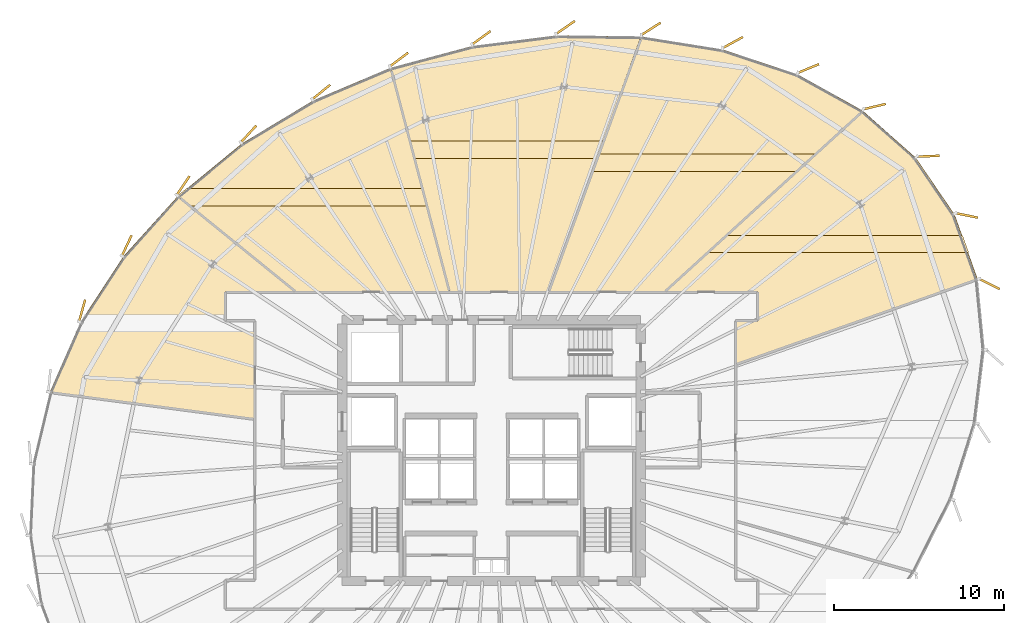
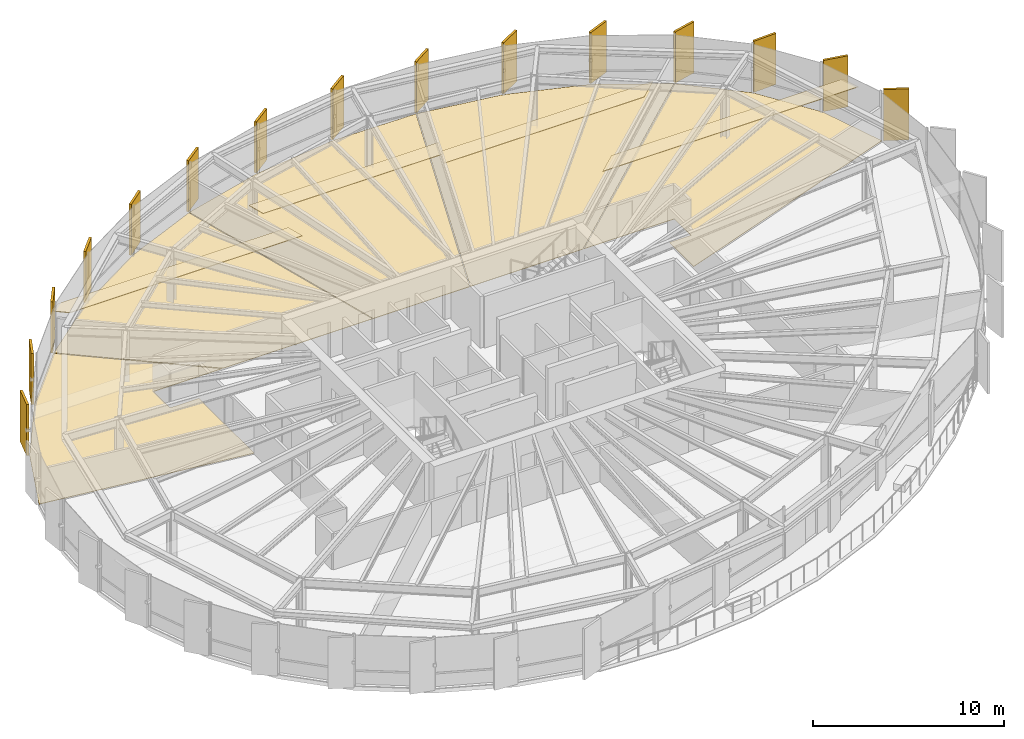
# One storey, part 36 of 36: 24 coverings.
"""IFC4 building model written with IfcOpenShell, lengths in metres."""

from ifc_helpers import new_model, si_unit, direction, frame, origin, origin_2d, place, context, subcontext, project, spatial, polyline, rectangle, outline, extrude, source, transform, mapped, material, layer, layer_set, type_object, element, save


model = new_model("IFC4")

# Units and contexts
model_context = context("Model", 3, precision=1e-05, world=origin(), true_north=direction((0.0, 1.0)))
body_context = subcontext(model_context, "Body", "Model", "MODEL_VIEW")
ifc_project = project(units=[si_unit("LENGTHUNIT", "METRE"), si_unit("AREAUNIT", "SQUARE_METRE"), si_unit("VOLUMEUNIT", "CUBIC_METRE"), si_unit("PLANEANGLEUNIT", "RADIAN"), si_unit("MASSUNIT", "GRAM", prefix="KILO"), si_unit("THERMODYNAMICTEMPERATUREUNIT", "KELVIN")], contexts=[model_context])

# Site, building, storey
site_placement = place(None, origin())
site = spatial("IfcSite", under=ifc_project, at=site_placement, CompositionType="ELEMENT")
building_placement = place(site_placement, origin())
building = spatial("IfcBuilding", under=site, at=building_placement, Name="Kethvar Cultural Tower", CompositionType="ELEMENT")
storey_placement = place(building_placement, frame((0.0, 0.0, 143.0)))
storey = spatial("IfcBuildingStorey", under=building, at=storey_placement, Name="L36", CompositionType="ELEMENT", Elevation=143.0)

# Coverings
ifc_material_1 = material(Name="Acoustic Mineral Fibre Ceiling")
ifc_layer_1 = layer(ifc_material_1, 0.0400390625, Name="Acoustic Mineral Fibre Ceiling")
ifc_layer_set_1 = layer_set([ifc_layer_1], Name="Acoustic Mineral Fibre Ceiling (40 mm)")
covering_type_1 = type_object("IfcCoveringType", Name="CV-ACOUSTIC-CEIL", PredefinedType="CEILING", material=ifc_layer_set_1)
covering_1_placement = place(storey_placement, frame((0.0, 0.0, 2.669921875)))
element("IfcCovering", 1, at=covering_1_placement, inside=storey, type_object=covering_type_1, Name="L36 Room 06 Acoustic Ceiling Panel", PredefinedType="CEILING", context=body_context, shape_type="SweptSolid", body=[
    extrude(outline(polyline([(74.959228515625, 39.46728515625), (59.51171875, 39.46728515625), (60.63671875, 40.497314453125), (74.591552734375, 40.497314453125), (74.959228515625, 39.46728515625)])), origin(), (0.0, 0.0, 1.0), 0.0400390625),
])
covering_2_placement = place(storey_placement, frame((0.0, 0.0, 2.669921875)))
element("IfcCovering", 2, at=covering_2_placement, inside=storey, type_object=covering_type_1, Name="L36 Room 07 Acoustic Ceiling Panel", PredefinedType="CEILING", context=body_context, shape_type="SweptSolid", body=[
    extrude(outline(polyline([(64.80517578125, 44.26025390625), (52.73486328125, 44.26025390625), (53.107666015625, 45.290283203125), (65.929931640625, 45.290283203125), (64.80517578125, 44.26025390625)])), origin(), (0.0, 0.0, 1.0), 0.0400390625),
])
covering_3_placement = place(storey_placement, frame((0.0, 0.0, 2.669921875)))
element("IfcCovering", 3, at=covering_3_placement, inside=storey, type_object=covering_type_1, Name="L36 Room 08 Acoustic Ceiling Panel", PredefinedType="CEILING", context=body_context, shape_type="SweptSolid", body=[
    extrude(outline(polyline([(53.051513671875, 45.017578125), (42.23388671875, 45.017578125), (41.9619140625, 46.047607421875), (53.42431640625, 46.047607421875), (53.051513671875, 45.017578125)])), origin(), (0.0, 0.0, 1.0), 0.0400390625),
])
covering_4_placement = place(storey_placement, frame((0.0, 0.0, 2.669921875)))
element("IfcCovering", 4, at=covering_4_placement, inside=storey, type_object=covering_type_1, Name="L36 Room 09 Acoustic Ceiling Panel", PredefinedType="CEILING", context=body_context, shape_type="SweptSolid", body=[
    extrude(outline(polyline([(43.00927734375, 42.2373046875), (28.977294921875, 42.2373046875), (28.27490234375, 42.81689453125), (28.81201171875, 43.267333984375), (42.7373046875, 43.267333984375), (43.00927734375, 42.2373046875)])), origin(), (0.0, 0.0, 1.0), 0.0400390625),
])
ifc_material_2 = material(Name="Architectural Oak Timber", Category="wood")
ifc_layer_2 = layer(ifc_material_2, 0.02490234375, Name="Architectural Oak Timber", Category="wood")
ifc_layer_set_2 = layer_set([ifc_layer_2], Name="Architectural Oak Timber (25 mm)")
covering_type_2 = type_object("IfcCoveringType", Name="CV-OAK-FLOOR", PredefinedType="FLOORING", material=ifc_layer_set_2)
covering_5_placement = place(storey_placement, origin())
element("IfcCovering", 5, at=covering_5_placement, inside=storey, type_object=covering_type_2, Name="L36 Room 06 Floor Finish", PredefinedType="FLOORING", context=body_context, shape_type="SweptSolid", body=[
    extrude(outline(polyline([(71.826416015625, 45.063232421875), (74.11376953125, 41.717041015625), (75.470458984375, 37.916259765625), (61.219970703125, 32.8984375), (61.219970703125, 35.429931640625), (62.515380859375, 35.437255859375), (62.51416015625, 37.1640625), (57.062255859375, 37.169921875), (68.70556640625, 47.831787109375), (71.826416015625, 45.063232421875)])), origin(), (0.0, 0.0, 1.0), 0.02490234375),
])
covering_6_placement = place(storey_placement, origin())
element("IfcCovering", 6, at=covering_6_placement, inside=storey, type_object=covering_type_2, Name="L36 Room 07 Floor Finish", PredefinedType="FLOORING", context=body_context, shape_type="SweptSolid", body=[
    extrude(outline(polyline([(60.4287109375, 51.448974609375), (64.8408203125, 49.9853515625), (68.67138671875, 47.854736328125), (57.0029296875, 37.169921875), (50.2119140625, 37.169921875), (55.654296875, 52.210693359375), (60.4287109375, 51.448974609375)])), origin(), (0.0, 0.0, 1.0), 0.02490234375),
])
covering_7_placement = place(storey_placement, origin())
element("IfcCovering", 7, at=covering_7_placement, inside=storey, type_object=covering_type_2, Name="L36 Room 08 Floor Finish", PredefinedType="FLOORING", context=body_context, shape_type="SweptSolid", body=[
    extrude(outline(polyline([(45.67822265625, 51.652587890625), (50.66259765625, 52.27685546875), (55.61279296875, 52.21337890625), (50.169189453125, 37.169921875), (44.346923828125, 37.169921875), (40.86279296875, 50.36767578125), (45.67822265625, 51.652587890625)])), origin(), (0.0, 0.0, 1.0), 0.02490234375),
])
covering_8_placement = place(storey_placement, origin())
element("IfcCovering", 8, at=covering_8_placement, inside=storey, type_object=covering_type_2, Name="L36 Room 09 Floor Finish", PredefinedType="FLOORING", context=body_context, shape_type="SweptSolid", body=[
    extrude(outline(polyline([(32.073486328125, 45.8935546875), (36.285888671875, 48.434814453125), (40.824951171875, 50.3544921875), (44.3056640625, 37.169921875), (35.28515625, 37.169921875), (28.326416015625, 42.81689453125), (32.073486328125, 45.8935546875)])), origin(), (0.0, 0.0, 1.0), 0.02490234375),
])
covering_9_placement = place(storey_placement, origin())
element("IfcCovering", 9, at=covering_9_placement, inside=storey, type_object=covering_type_2, Name="L36 Room 10 Floor Finish", PredefinedType="FLOORING", context=body_context, shape_type="SweptSolid", body=[
    extrude(outline(polyline([(20.765625, 31.25830078125), (22.5625, 35.3603515625), (25.10595703125, 39.25537109375), (28.297119140625, 42.789306640625), (35.2216796875, 37.169921875), (31.080810546875, 37.15576171875), (31.0859375, 35.435791015625), (32.830078125, 35.429931640625), (32.830078125, 29.6650390625), (20.765625, 31.25830078125)])), origin(), (0.0, 0.0, 1.0), 0.02490234375),
])
ifc_material_3 = material(Name="Extruded Architectural Terracotta", Category="masonry")
ifc_layer_3 = layer(ifc_material_3, 0.135009765625, Name="Extruded Architectural Terracotta", Category="masonry")
ifc_layer_set_3 = layer_set([ifc_layer_3], Name="Extruded Architectural Terracotta (135 mm)")
covering_type_3 = type_object("IfcCoveringType", Name="Terracotta Facade Fin FIN-02", PredefinedType="CLADDING", material=ifc_layer_set_3)
shared_shape = source(origin(), body_context, "Body", "SweptSolid", [
    extrude(rectangle(XDim=1.35009765625, YDim=0.135009765625, at=origin_2d()), origin(), (0.0, 0.0, 1.0), 3.260009765625),
])
for number, where, z_axis, x_axis, name in (
    (10, (74.83740234375, 41.670166015625, 0.02001953125), (0.0, 0.0, 1.0), (0.980305657405, -0.197486247774, 0.0), "L36 Vertical Terracotta Fin 1.1"),
    (11, (72.56884765625, 45.16357421875, 0.02001953125), (0.0, 0.0, 1.0), (0.999187375577, 0.040306184241, 0.0), "L36 Vertical Terracotta Fin 1.2"),
    (12, (69.39990234375, 48.08837890625, 0.02001953125), (0.0, 0.0, 1.0), (0.971672994977, 0.236329411694, 0.0), "L36 Vertical Terracotta Fin 1.3"),
    (13, (65.498291015625, 50.33642578125, 0.02001953125), (0.0, 0.0, 1.0), (0.924745434851, 0.380586232965, 0.0), "L36 Vertical Terracotta Fin 1.4"),
    (14, (61.0390625, 51.8701171875, 0.02001953125), (0.0, 0.0, 1.0), (0.878400378515, 0.477925491081, 0.0), "L36 Vertical Terracotta Fin 1.5"),
    (15, (56.211181640625, 52.67626953125, 0.02001953125), (0.0, 0.0, 1.0), (0.842922242371, 0.538035401546, 0.0), "L36 Vertical Terracotta Fin 1.6"),
    (16, (51.167236328125, 52.75634765625, 0.02001953125), (0.0, 0.0, 1.0), (0.821348375719, 0.570426897773, 0.0), "L36 Vertical Terracotta Fin 2.1"),
    (17, (46.19970703125, 52.146484375, 0.02001953125), (0.0, 0.0, 1.0), (0.808709119852, 0.588208772008, 0.0), "L36 Vertical Terracotta Fin 2.2"),
    (18, (41.34619140625, 50.86181640625, 0.02001953125), (0.0, 0.0, 1.0), (0.798425388323, 0.602093762865, 0.0), "L36 Vertical Terracotta Fin 2.3"),
    (19, (36.75927734375, 48.947021484375, 0.02001953125), (0.0, 0.0, 1.0), (0.775936321554, 0.630811243474, 0.0), "L36 Vertical Terracotta Fin 2.4"),
    (20, (32.46826171875, 46.468505859375, 0.02001953125), (0.0, 0.0, 1.0), (0.67700443255, 0.735978938766, 0.0), "L36 Vertical Terracotta Fin 2.5"),
    (21, (28.61376953125, 43.4296875, 0.02001953125), (0.0, 0.0, 1.0), (0.560349912828, 0.828255984098, 0.0), "L36 Vertical Terracotta Fin 2.6"),
    (22, (25.28857421875, 39.8896484375, 0.02001953125), (0.0, 0.0, 1.0), (0.424831525605, 0.905272431289, 0.0), "L36 Vertical Terracotta Fin 3.1"),
    (23, (22.65380859375, 36.052001953125, 0.02001953125), (0.0, 0.0, 1.0), (0.26992829446, 0.962880426559, 0.0), "L36 Vertical Terracotta Fin 3.2"),
    (24, (76.175537109375, 37.6298828125, 0.02001953125), (0.0, 0.0, 1.0), (0.895167867544, -0.445729165431, 0.0), "L36 Vertical Terracotta Fin 7.3"),
):
    element("IfcCovering", number, at=place(storey_placement, frame(where, z_axis=z_axis, x_axis=x_axis)), inside=storey, type_object=covering_type_3, Name=name, PredefinedType="CLADDING", context=body_context, shape_type="MappedRepresentation", body=[
        mapped(shared_shape, transform((0.0, 0.0, 0.0), scale=1.0)),
    ])

save(model, "model.ifc")
